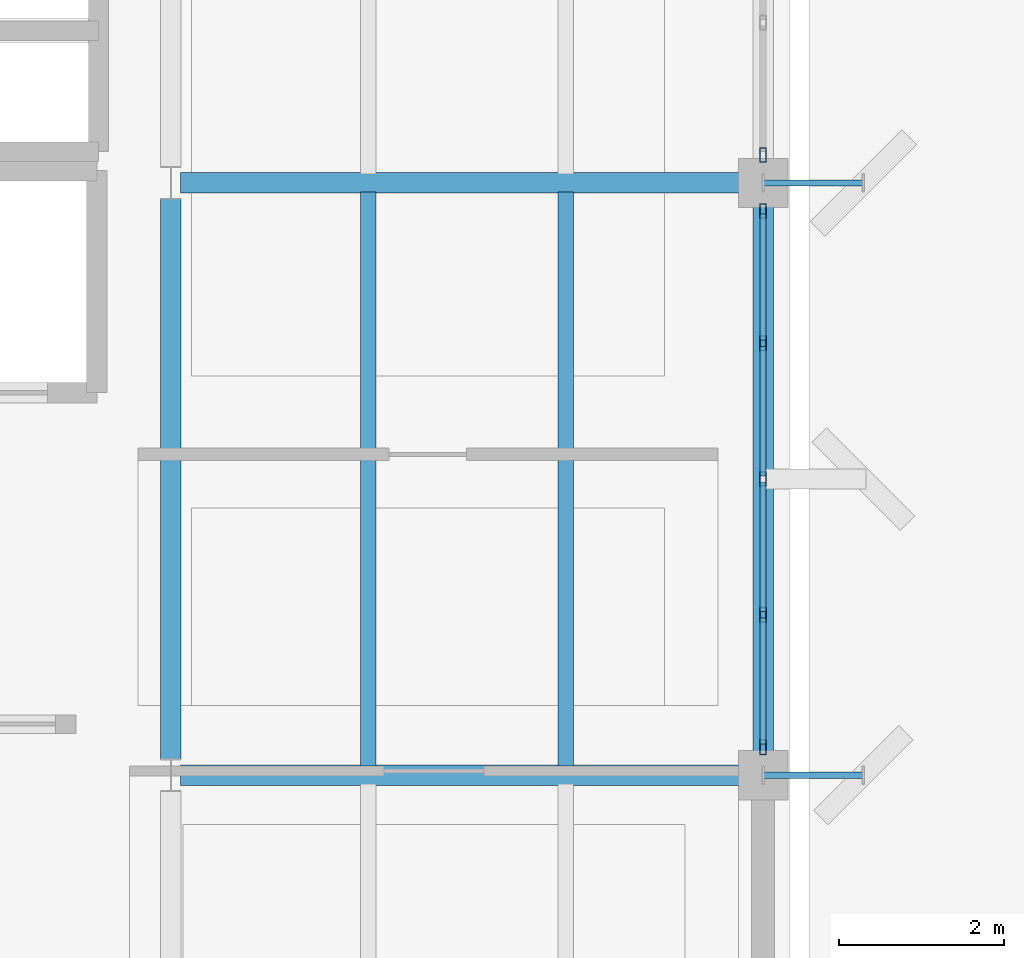
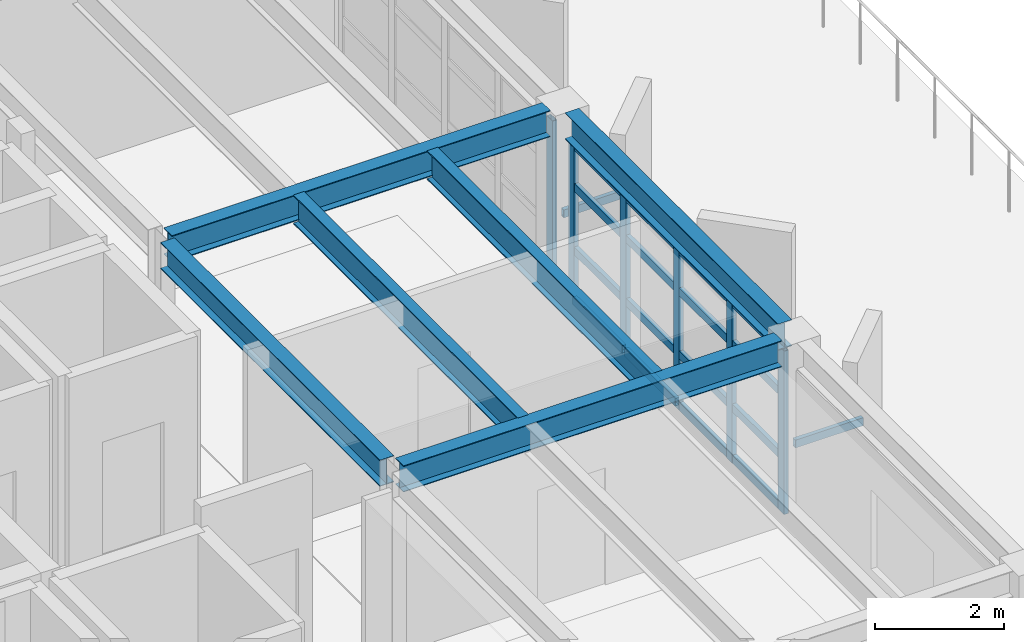
# One storey, part 6 of 19: 24 members, 6 beams, 2 elements without a shape of their own.
"""IFC4 building model written with IfcOpenShell, lengths in metres."""

import ifcopenshell
import ifcopenshell.guid

model = None  # the IFC model being written
_history = None  # IfcOwnerHistory: only IFC2X3 demands one
_inside = {}  # id of a spatial element -> (the spatial element, [elements in it])
_under = {}  # id of a project, library or spatial element -> (it, [spatial elements below it])
_declared = {}  # id of a project -> (the project, [libraries it declares])
_typed = {}  # id of a type object -> (the type object, [elements of that type])
_made_of = {}  # id of a material, layer set ... -> (it, [elements and type objects made of it])


def new_model(schema):
    """Start an empty IFC model of exactly this schema.

    Asked for "IFC4X3", IfcOpenShell would pick the latest addendum, in which some entities
    have other attributes; the version numbers below select the first issue.
    IFC2X3 requires an IfcOwnerHistory on every rooted entity: one is made here for all.
    """
    global model, _history
    if schema == "IFC4X3":
        model = ifcopenshell.file(schema_version=(4, 3, 0, 0))
    else:
        model = ifcopenshell.file(schema=schema)
    _inside.clear()
    _under.clear()
    _declared.clear()
    _typed.clear()
    _made_of.clear()
    _history = None
    if model.schema == "IFC2X3":
        org = make("IfcOrganization", Name="unknown")
        user = make(
            "IfcPersonAndOrganization",
            ThePerson=make("IfcPerson", FamilyName="unknown"),
            TheOrganization=org,
        )
        app = make(
            "IfcApplication",
            ApplicationDeveloper=org,
            Version="unknown",
            ApplicationFullName="unknown",
            ApplicationIdentifier="unknown",
        )
        _history = make(
            "IfcOwnerHistory",
            OwningUser=user,
            OwningApplication=app,
            ChangeAction="ADDED",
            CreationDate=0,
        )
    return model


def make(cls, **values):
    """One entity of the class cls with the attributes given. An attribute that is None is left unset."""
    return model.create_entity(
        cls, **{name: value for name, value in values.items() if value is not None}
    )


def rooted(cls, **values):
    """An entity with a GlobalId (a new one), such as an element, a storey or a relation."""
    return make(cls, GlobalId=ifcopenshell.guid.new(), OwnerHistory=_history, **values)


def si_unit(unit_type, name, prefix=None):
    """IfcSIUnit, for example si_unit("LENGTHUNIT", "METRE", prefix="MILLI")."""
    return make("IfcSIUnit", UnitType=unit_type, Prefix=prefix, Name=name)


def assignment(units):
    """IfcUnitAssignment: the units of a project."""
    return None if units is None else make("IfcUnitAssignment", Units=units)


def point(xyz):
    """IfcCartesianPoint."""
    return None if xyz is None else make("IfcCartesianPoint", Coordinates=xyz)


def direction(xyz):
    """IfcDirection."""
    return None if xyz is None else make("IfcDirection", DirectionRatios=xyz)


def frame(location, z_axis=None, x_axis=None):
    """IfcAxis2Placement3D, a coordinate frame: its origin and axes. An axis left out is left unset."""
    return make(
        "IfcAxis2Placement3D",
        Location=point(location),
        Axis=direction(z_axis),
        RefDirection=direction(x_axis),
    )


def frame_2d(location, x_axis=None):
    """IfcAxis2Placement2D, a coordinate frame in the plane: its origin and x axis."""
    return make(
        "IfcAxis2Placement2D", Location=point(location), RefDirection=direction(x_axis)
    )


def origin():
    """The frame at (0, 0, 0) with its axes left unset."""
    return frame((0.0, 0.0, 0.0))


def origin_2d():
    """The frame at (0, 0) in the plane with its x axis left unset."""
    return frame_2d((0.0, 0.0))


def place(relative_to, where):
    """IfcLocalPlacement: puts the frame where relative to a parent placement (None: the world)."""
    return make(
        "IfcLocalPlacement", PlacementRelTo=relative_to, RelativePlacement=where
    )


def context(
    kind, dimensions, precision=None, world=None, true_north=None, identifier=None
):
    """IfcGeometricRepresentationContext, for example the 3D "Model" context."""
    return make(
        "IfcGeometricRepresentationContext",
        ContextIdentifier=identifier,
        ContextType=kind,
        CoordinateSpaceDimension=dimensions,
        Precision=precision,
        WorldCoordinateSystem=world,
        TrueNorth=true_north,
    )


def subcontext(parent, identifier, kind, view, scale=None):
    """IfcGeometricRepresentationSubContext, for example "Body" below "Model"."""
    return make(
        "IfcGeometricRepresentationSubContext",
        ContextIdentifier=identifier,
        ContextType=kind,
        ParentContext=parent,
        TargetScale=scale,
        TargetView=view,
    )


def project(units=None, contexts=None):
    """IfcProject with its units and contexts."""
    return rooted(
        "IfcProject",
        Name="project",
        RepresentationContexts=contexts,
        UnitsInContext=assignment(units),
    )


def spatial(cls, under=None, at=None, **own):
    """A site, building, storey or space (cls), placed at a placement, below another one or the project."""
    s = rooted(cls, ObjectPlacement=at, **own)
    if under is not None:
        _under.setdefault(under.id(), (under, []))[1].append(s)
    return s


def profile(cls, at=None, kind="AREA", **sizes):
    """A parametric profile (cls). Its sizes go by their IFC names, for example OverallWidth=200.0."""
    return make(cls, ProfileType=kind, Position=at, **sizes)


def hollow_rectangle(**sizes):
    """IfcRectangleHollowProfileDef."""
    return profile("IfcRectangleHollowProfileDef", **sizes)


def i_section(**sizes):
    """IfcIShapeProfileDef."""
    return profile("IfcIShapeProfileDef", **sizes)


def extrude(swept, where, along, depth):
    """IfcExtrudedAreaSolid: the profile swept, set in the frame where, extruded along a direction by depth."""
    return make(
        "IfcExtrudedAreaSolid",
        SweptArea=swept,
        Position=where,
        ExtrudedDirection=direction(along),
        Depth=depth,
    )


def shape(context_of_items, identifier, shape_type, items):
    """IfcShapeRepresentation: the items that make up one representation, for example the "Body"."""
    return make(
        "IfcShapeRepresentation",
        ContextOfItems=context_of_items,
        RepresentationIdentifier=identifier,
        RepresentationType=shape_type,
        Items=items,
    )


def material(Name=None, Category=None):
    """IfcMaterial."""
    return make("IfcMaterial", Name=Name, Category=Category)


def layer(
    of_material, thickness, ventilated=None, Name=None, Category=None, Priority=None
):
    """IfcMaterialLayer: one layer of a wall or slab, of a material (None: an air gap)."""
    return make(
        "IfcMaterialLayer",
        Material=of_material,
        LayerThickness=thickness,
        IsVentilated=ventilated,
        Name=Name,
        Category=Category,
        Priority=Priority,
    )


def layer_set(layers, Name=None):
    """IfcMaterialLayerSet."""
    return make("IfcMaterialLayerSet", MaterialLayers=layers, LayerSetName=Name)


def material_profile(
    of_material, cross_section, Name=None, Category=None, Priority=None
):
    """IfcMaterialProfile: a cross section and its material."""
    return make(
        "IfcMaterialProfile",
        Name=Name,
        Material=of_material,
        Profile=cross_section,
        Priority=Priority,
        Category=Category,
    )


def profile_set(profiles, Name=None, composite=None):
    """IfcMaterialProfileSet."""
    return make(
        "IfcMaterialProfileSet",
        Name=Name,
        MaterialProfiles=profiles,
        CompositeProfile=composite,
    )


def made_of(thing, what):
    """Note that an element or type object is made of a material, layer set ...; save() writes the relation."""
    if what is not None:
        _made_of.setdefault(what.id(), (what, []))[1].append(thing)
    return thing


def type_object(cls, material=None, **own):
    """A type object (cls), such as IfcWallType, which elements share."""
    return made_of(rooted(cls, **own), material)


def element(
    cls,
    number,
    at=None,
    inside=None,
    cuts=None,
    type_object=None,
    material=None,
    context=None,
    identifier="Body",
    shape_type=None,
    held_by="IfcProductDefinitionShape",
    body=None,
    shapes=None,
    **own,
):
    """One element of the class cls, such as IfcWall. Its Tag is "e" and its number.

    at: its placement. inside: the storey or other place that contains it. cuts: it is an
    opening in that element (IfcRelVoidsElement). A single representation is given by context,
    identifier, shape_type and body (its items); several are given by shapes. held_by: the class
    of the entity that holds the representations. save() writes the other relations.
    """
    e = rooted(cls, Tag="e%d" % number, ObjectPlacement=at, **own)
    if body is not None:
        shapes = [shape(context, identifier, shape_type, body)]
    if shapes is not None:
        e.Representation = make(held_by, Representations=shapes)
    if inside is not None:
        _inside.setdefault(inside.id(), (inside, []))[1].append(e)
    if cuts is not None:
        rooted(
            "IfcRelVoidsElement", RelatingBuildingElement=cuts, RelatedOpeningElement=e
        )
    if type_object is not None:
        _typed.setdefault(type_object.id(), (type_object, []))[1].append(e)
    return made_of(e, material)


def aggregate(whole, parts):
    """IfcRelAggregates: a whole, such as a stair, and the parts it consists of."""
    return rooted("IfcRelAggregates", RelatingObject=whole, RelatedObjects=parts)


def save(model, path):
    """Write the relations noted so far, then the file.

    IfcRelAggregates (storeys below a building ...), IfcRelContainedInSpatialStructure (elements
    in a storey), IfcRelDefinesByType, IfcRelAssociatesMaterial and IfcRelDeclares: one each for
    every whole, place, type object, material and project.
    """
    for whole, parts in _under.values():
        aggregate(whole, parts)
    for where, things in _inside.values():
        rooted(
            "IfcRelContainedInSpatialStructure",
            RelatedElements=things,
            RelatingStructure=where,
        )
    for kind, things in _typed.values():
        rooted("IfcRelDefinesByType", RelatedObjects=things, RelatingType=kind)
    for what, things in _made_of.values():
        rooted("IfcRelAssociatesMaterial", RelatedObjects=things, RelatingMaterial=what)
    for by, libraries in _declared.values():
        rooted("IfcRelDeclares", RelatingContext=by, RelatedDefinitions=libraries)
    model.write(path)


model = new_model("IFC4")

# Units and contexts
model_context = context("Model", 3, precision=1e-05, world=origin(), true_north=direction((0.0, 1.0)))
body_context = subcontext(model_context, "Body", "Model", "MODEL_VIEW")
ifc_project = project(units=[si_unit("LENGTHUNIT", "METRE"), si_unit("AREAUNIT", "SQUARE_METRE"), si_unit("VOLUMEUNIT", "CUBIC_METRE"), si_unit("PLANEANGLEUNIT", "RADIAN"), si_unit("MASSUNIT", "GRAM", prefix="KILO")], contexts=[model_context])

# Site, building, storey
site_placement = place(None, origin())
site = spatial("IfcSite", under=ifc_project, at=site_placement, CompositionType="ELEMENT")
building_placement = place(site_placement, origin())
building = spatial("IfcBuilding", under=site, at=building_placement, Name="Kandorven Conservatory and Botanical Research Centre", CompositionType="ELEMENT")
storey_placement = place(building_placement, frame((0.0, 0.0, 28.800048828125)))
storey = spatial("IfcBuildingStorey", under=building, at=storey_placement, Name="L07", CompositionType="ELEMENT", Elevation=28.800048828125)

# Beams
ifc_material_1 = material(Name="Steel S355 (IS 2062 E350)", Category="steel")
ifc_material_profile_1 = material_profile(ifc_material_1, i_section(OverallWidth=0.25, OverallDepth=0.5, WebThickness=0.010009765625, FlangeThickness=0.0146484375, at=origin_2d()))
ifc_profile_set_1 = profile_set([ifc_material_profile_1], Name="Steel S355 (IS 2062 E350)")
beam_type_1 = type_object("IfcBeamType", Name="Beam_FG-02", PredefinedType="USERDEFINED", material=ifc_profile_set_1)
for number, where, z_axis, x_axis, name in (
    (1, (27.715087890625, 13.199951171875, 3.369873046875), (1.0, 0.0, 0.0), (0.0, 1.0, 0.0), "Primary girder FG-02 TWR L07"),
    (2, (27.715087890625, 20.39990234375, 3.369873046875), (1.0, 0.0, 0.0), (0.0, 1.0, 0.0), "Primary girder FG-02 TWR L07"),
):
    element("IfcBeam", number, at=place(storey_placement, frame(where, z_axis=z_axis, x_axis=x_axis)), inside=storey, type_object=beam_type_1, Name=name, ObjectType="GIRDER", PredefinedType="USERDEFINED", context=body_context, shape_type="SweptSolid", body=[
        extrude(i_section(OverallWidth=0.25, OverallDepth=0.5, WebThickness=0.010009765625, FlangeThickness=0.0146484375, at=origin_2d()), origin(), (0.0, 0.0, 1.0), 6.794921875),
    ])
beam_1_placement = place(storey_placement, frame((27.60009765625, 13.389892578125, 3.369873046875), z_axis=(0.0, 1.0, 0.0), x_axis=(-1.0, 0.0, 0.0)))
element("IfcBeam", 3, at=beam_1_placement, inside=storey, type_object=beam_type_1, Name="Primary girder FG-02 TWR L07", ObjectType="GIRDER", PredefinedType="USERDEFINED", context=body_context, shape_type="SweptSolid", body=[
    extrude(i_section(OverallWidth=0.25, OverallDepth=0.5, WebThickness=0.010009765625, FlangeThickness=0.0146484375, at=origin_2d()), origin(), (0.0, 0.0, 1.0), 6.820068359375),
])
beam_2_placement = place(storey_placement, frame((34.800048828125, 13.489990234375, 3.369873046875), z_axis=(0.0, 1.0, 0.0), x_axis=(-1.0, 0.0, 0.0)))
element("IfcBeam", 4, at=beam_2_placement, inside=storey, type_object=beam_type_1, Name="Primary girder FG-02 TWR L07", ObjectType="GIRDER", PredefinedType="USERDEFINED", context=body_context, shape_type="SweptSolid", body=[
    extrude(i_section(OverallWidth=0.25, OverallDepth=0.5, WebThickness=0.010009765625, FlangeThickness=0.0146484375, at=origin_2d()), origin(), (0.0, 0.0, 1.0), 6.6201171875),
])
ifc_material_2 = material(Name="Steel S355 (IS 2062 E350)", Category="steel")
ifc_material_profile_2 = material_profile(ifc_material_2, i_section(OverallWidth=0.18994140625, OverallDepth=0.550048828125, WebThickness=0.01123046875, FlangeThickness=0.019287109375, at=origin_2d()))
ifc_profile_set_2 = profile_set([ifc_material_profile_2], Name="Steel S355 (IS 2062 E350)")
beam_type_2 = type_object("IfcBeamType", Name="Beam_SB-02", PredefinedType="BEAM", material=ifc_profile_set_2)
for number, where, z_axis, x_axis, name in (
    (5, (30.0, 13.31005859375, 3.344970703125), (0.0, 1.0, 0.0), (-1.0, 0.0, 0.0), "Composite secondary beam SB-02 TWR L07"),
    (6, (32.39990234375, 13.31005859375, 3.344970703125), (0.0, 1.0, 0.0), (-1.0, 0.0, 0.0), "Composite secondary beam SB-02 TWR L07"),
):
    element("IfcBeam", number, at=place(storey_placement, frame(where, z_axis=z_axis, x_axis=x_axis)), inside=storey, type_object=beam_type_2, Name=name, PredefinedType="BEAM", context=body_context, shape_type="SweptSolid", body=[
        extrude(i_section(OverallWidth=0.18994140625, OverallDepth=0.550048828125, WebThickness=0.01123046875, FlangeThickness=0.019287109375, at=origin_2d()), origin(), (0.0, 0.0, 1.0), 6.97998046875),
    ])

# Curtain wall, members
ifc_material_3 = material(Name="Bronze anodised thermally broken aluminium", Category="aluminium")
ifc_layer = layer(ifc_material_3, 0.179931640625)
ifc_layer_set = layer_set([ifc_layer], Name="Bronze anodised thermally broken aluminium")
curtain_wall_type = type_object("IfcCurtainWallType", Name="CW_Unitised", PredefinedType="USERDEFINED", material=ifc_layer_set)
curtain_wall_1_placement = place(storey_placement, origin())
curtain_wall_1 = element("IfcCurtainWall", 7, at=curtain_wall_1_placement, inside=storey, type_object=curtain_wall_type, Name="Tower laboratory curtain wall CW-TWR-E-L07-2", ObjectType="UNITISED GLAZING", PredefinedType="USERDEFINED")
ifc_material_4 = material(Name="Bronze anodised thermally broken aluminium", Category="aluminium")
ifc_material_profile_3 = material_profile(ifc_material_4, hollow_rectangle(XDim=0.080078125, YDim=0.179931640625, WallThickness=0.006103515625, at=origin_2d()))
ifc_profile_set_3 = profile_set([ifc_material_profile_3], Name="Bronze anodised thermally broken aluminium")
member_type_1 = type_object("IfcMemberType", Name="CW_Mullion", PredefinedType="MULLION", material=ifc_profile_set_3)
member_1_placement = place(storey_placement, frame((34.800048828125, 13.5400390625, 0.0), z_axis=(0.0, 0.0, 1.0), x_axis=(-1.0, 0.0, 0.0)))
member_1 = element("IfcMember", 8, at=member_1_placement, type_object=member_type_1, Name="CW-01 mullion 1", PredefinedType="MULLION", context=body_context, shape_type="SweptSolid", body=[
    extrude(hollow_rectangle(XDim=0.080078125, YDim=0.179931640625, WallThickness=0.006103515625, at=origin_2d()), origin(), (0.0, 0.0, 1.0), 3.099853515625),
])
member_2_placement = place(storey_placement, frame((34.800048828125, 15.14990234375, 0.0), z_axis=(0.0, 0.0, 1.0), x_axis=(-1.0, 0.0, 0.0)))
member_2 = element("IfcMember", 9, at=member_2_placement, type_object=member_type_1, Name="CW-01 mullion 2", PredefinedType="MULLION", context=body_context, shape_type="SweptSolid", body=[
    extrude(hollow_rectangle(XDim=0.080078125, YDim=0.179931640625, WallThickness=0.006103515625, at=origin_2d()), origin(), (0.0, 0.0, 1.0), 3.099853515625),
])
member_3_placement = place(storey_placement, frame((34.800048828125, 16.800048828125, 0.0), z_axis=(0.0, 0.0, 1.0), x_axis=(-1.0, 0.0, 0.0)))
member_3 = element("IfcMember", 10, at=member_3_placement, type_object=member_type_1, Name="CW-01 mullion 3", PredefinedType="MULLION", context=body_context, shape_type="SweptSolid", body=[
    extrude(hollow_rectangle(XDim=0.080078125, YDim=0.179931640625, WallThickness=0.006103515625, at=origin_2d()), origin(), (0.0, 0.0, 1.0), 3.099853515625),
])
member_4_placement = place(storey_placement, frame((34.800048828125, 18.449951171875, 0.0), z_axis=(0.0, 0.0, 1.0), x_axis=(-1.0, 0.0, 0.0)))
member_4 = element("IfcMember", 11, at=member_4_placement, type_object=member_type_1, Name="CW-01 mullion 4", PredefinedType="MULLION", context=body_context, shape_type="SweptSolid", body=[
    extrude(hollow_rectangle(XDim=0.080078125, YDim=0.179931640625, WallThickness=0.006103515625, at=origin_2d()), origin(), (0.0, 0.0, 1.0), 3.099853515625),
])
member_5_placement = place(storey_placement, frame((34.800048828125, 20.06005859375, 0.0), z_axis=(0.0, 0.0, 1.0), x_axis=(-1.0, 0.0, 0.0)))
member_5 = element("IfcMember", 12, at=member_5_placement, type_object=member_type_1, Name="CW-01 mullion 5", PredefinedType="MULLION", context=body_context, shape_type="SweptSolid", body=[
    extrude(hollow_rectangle(XDim=0.080078125, YDim=0.179931640625, WallThickness=0.006103515625, at=origin_2d()), origin(), (0.0, 0.0, 1.0), 3.099853515625),
])

# Curtain wall, member
curtain_wall_2_placement = place(storey_placement, origin())
curtain_wall_2 = element("IfcCurtainWall", 13, at=curtain_wall_2_placement, inside=storey, type_object=curtain_wall_type, Name="Tower laboratory curtain wall CW-TWR-E-L07-3", ObjectType="UNITISED GLAZING", PredefinedType="USERDEFINED")
member_6_placement = place(storey_placement, frame((34.800048828125, 20.739990234375, 0.0), z_axis=(0.0, 0.0, 1.0), x_axis=(-1.0, 0.0, 0.0)))
member_6 = element("IfcMember", 14, at=member_6_placement, type_object=member_type_1, Name="CW-01 mullion 1", PredefinedType="MULLION", context=body_context, shape_type="SweptSolid", body=[
    extrude(hollow_rectangle(XDim=0.080078125, YDim=0.179931640625, WallThickness=0.006103515625, at=origin_2d()), origin(), (0.0, 0.0, 1.0), 3.099853515625),
])
aggregate(curtain_wall_2, [member_6])

# Member
ifc_material_5 = material(Name="Bronze anodised thermally broken aluminium", Category="aluminium")
ifc_material_profile_4 = material_profile(ifc_material_5, hollow_rectangle(XDim=0.074951171875, YDim=0.14990234375, WallThickness=0.006103515625, at=origin_2d()))
ifc_profile_set_4 = profile_set([ifc_material_profile_4], Name="Bronze anodised thermally broken aluminium")
member_type_2 = type_object("IfcMemberType", Name="CW_Transom", PredefinedType="USERDEFINED", material=ifc_profile_set_4)
member_7_placement = place(storey_placement, frame((34.800048828125, 13.580078125, 0.074951171875), z_axis=(0.0, 1.0, 0.0), x_axis=(-1.0, 0.0, 0.0)))
member_7 = element("IfcMember", 15, at=member_7_placement, type_object=member_type_2, Name="CW-01 transom 1.1", ObjectType="TRANSOM", PredefinedType="USERDEFINED", context=body_context, shape_type="SweptSolid", body=[
    extrude(hollow_rectangle(XDim=0.074951171875, YDim=0.14990234375, WallThickness=0.006103515625, at=origin_2d()), origin(), (0.0, 0.0, 1.0), 1.530029296875),
])

member_8_placement = place(storey_placement, frame((34.800048828125, 13.580078125, 1.050048828125), z_axis=(0.0, 1.0, 0.0), x_axis=(-1.0, 0.0, 0.0)))
member_8 = element("IfcMember", 16, at=member_8_placement, type_object=member_type_2, Name="CW-01 transom 1.2", ObjectType="TRANSOM", PredefinedType="USERDEFINED", context=body_context, shape_type="SweptSolid", body=[
    extrude(hollow_rectangle(XDim=0.074951171875, YDim=0.14990234375, WallThickness=0.006103515625, at=origin_2d()), origin(), (0.0, 0.0, 1.0), 1.530029296875),
])

member_9_placement = place(storey_placement, frame((34.800048828125, 13.580078125, 2.25), z_axis=(0.0, 1.0, 0.0), x_axis=(-1.0, 0.0, 0.0)))
member_9 = element("IfcMember", 17, at=member_9_placement, type_object=member_type_2, Name="CW-01 transom 1.3", ObjectType="TRANSOM", PredefinedType="USERDEFINED", context=body_context, shape_type="SweptSolid", body=[
    extrude(hollow_rectangle(XDim=0.074951171875, YDim=0.14990234375, WallThickness=0.006103515625, at=origin_2d()), origin(), (0.0, 0.0, 1.0), 1.530029296875),
])

member_10_placement = place(storey_placement, frame((34.800048828125, 13.580078125, 3.02490234375), z_axis=(0.0, 1.0, 0.0), x_axis=(-1.0, 0.0, 0.0)))
member_10 = element("IfcMember", 18, at=member_10_placement, type_object=member_type_2, Name="CW-01 transom 1.4", ObjectType="TRANSOM", PredefinedType="USERDEFINED", context=body_context, shape_type="SweptSolid", body=[
    extrude(hollow_rectangle(XDim=0.074951171875, YDim=0.14990234375, WallThickness=0.006103515625, at=origin_2d()), origin(), (0.0, 0.0, 1.0), 1.530029296875),
])

member_11_placement = place(storey_placement, frame((34.800048828125, 15.18994140625, 0.074951171875), z_axis=(0.0, 1.0, 0.0), x_axis=(-1.0, 0.0, 0.0)))
member_11 = element("IfcMember", 19, at=member_11_placement, type_object=member_type_2, Name="CW-01 transom 2.1", ObjectType="TRANSOM", PredefinedType="USERDEFINED", context=body_context, shape_type="SweptSolid", body=[
    extrude(hollow_rectangle(XDim=0.074951171875, YDim=0.14990234375, WallThickness=0.006103515625, at=origin_2d()), origin(), (0.0, 0.0, 1.0), 1.570068359375),
])

member_12_placement = place(storey_placement, frame((34.800048828125, 15.18994140625, 1.050048828125), z_axis=(0.0, 1.0, 0.0), x_axis=(-1.0, 0.0, 0.0)))
member_12 = element("IfcMember", 20, at=member_12_placement, type_object=member_type_2, Name="CW-01 transom 2.2", ObjectType="TRANSOM", PredefinedType="USERDEFINED", context=body_context, shape_type="SweptSolid", body=[
    extrude(hollow_rectangle(XDim=0.074951171875, YDim=0.14990234375, WallThickness=0.006103515625, at=origin_2d()), origin(), (0.0, 0.0, 1.0), 1.570068359375),
])

member_13_placement = place(storey_placement, frame((34.800048828125, 15.18994140625, 2.25), z_axis=(0.0, 1.0, 0.0), x_axis=(-1.0, 0.0, 0.0)))
member_13 = element("IfcMember", 21, at=member_13_placement, type_object=member_type_2, Name="CW-01 transom 2.3", ObjectType="TRANSOM", PredefinedType="USERDEFINED", context=body_context, shape_type="SweptSolid", body=[
    extrude(hollow_rectangle(XDim=0.074951171875, YDim=0.14990234375, WallThickness=0.006103515625, at=origin_2d()), origin(), (0.0, 0.0, 1.0), 1.570068359375),
])

member_14_placement = place(storey_placement, frame((34.800048828125, 15.18994140625, 3.02490234375), z_axis=(0.0, 1.0, 0.0), x_axis=(-1.0, 0.0, 0.0)))
member_14 = element("IfcMember", 22, at=member_14_placement, type_object=member_type_2, Name="CW-01 transom 2.4", ObjectType="TRANSOM", PredefinedType="USERDEFINED", context=body_context, shape_type="SweptSolid", body=[
    extrude(hollow_rectangle(XDim=0.074951171875, YDim=0.14990234375, WallThickness=0.006103515625, at=origin_2d()), origin(), (0.0, 0.0, 1.0), 1.570068359375),
])

member_15_placement = place(storey_placement, frame((34.800048828125, 16.840087890625, 0.074951171875), z_axis=(0.0, 1.0, 0.0), x_axis=(-1.0, 0.0, 0.0)))
member_15 = element("IfcMember", 23, at=member_15_placement, type_object=member_type_2, Name="CW-01 transom 3.1", ObjectType="TRANSOM", PredefinedType="USERDEFINED", context=body_context, shape_type="SweptSolid", body=[
    extrude(hollow_rectangle(XDim=0.074951171875, YDim=0.14990234375, WallThickness=0.006103515625, at=origin_2d()), origin(), (0.0, 0.0, 1.0), 1.56982421875),
])

member_16_placement = place(storey_placement, frame((34.800048828125, 16.840087890625, 1.050048828125), z_axis=(0.0, 1.0, 0.0), x_axis=(-1.0, 0.0, 0.0)))
member_16 = element("IfcMember", 24, at=member_16_placement, type_object=member_type_2, Name="CW-01 transom 3.2", ObjectType="TRANSOM", PredefinedType="USERDEFINED", context=body_context, shape_type="SweptSolid", body=[
    extrude(hollow_rectangle(XDim=0.074951171875, YDim=0.14990234375, WallThickness=0.006103515625, at=origin_2d()), origin(), (0.0, 0.0, 1.0), 1.56982421875),
])

member_17_placement = place(storey_placement, frame((34.800048828125, 16.840087890625, 2.25), z_axis=(0.0, 1.0, 0.0), x_axis=(-1.0, 0.0, 0.0)))
member_17 = element("IfcMember", 25, at=member_17_placement, type_object=member_type_2, Name="CW-01 transom 3.3", ObjectType="TRANSOM", PredefinedType="USERDEFINED", context=body_context, shape_type="SweptSolid", body=[
    extrude(hollow_rectangle(XDim=0.074951171875, YDim=0.14990234375, WallThickness=0.006103515625, at=origin_2d()), origin(), (0.0, 0.0, 1.0), 1.56982421875),
])

member_18_placement = place(storey_placement, frame((34.800048828125, 16.840087890625, 3.02490234375), z_axis=(0.0, 1.0, 0.0), x_axis=(-1.0, 0.0, 0.0)))
member_18 = element("IfcMember", 26, at=member_18_placement, type_object=member_type_2, Name="CW-01 transom 3.4", ObjectType="TRANSOM", PredefinedType="USERDEFINED", context=body_context, shape_type="SweptSolid", body=[
    extrude(hollow_rectangle(XDim=0.074951171875, YDim=0.14990234375, WallThickness=0.006103515625, at=origin_2d()), origin(), (0.0, 0.0, 1.0), 1.56982421875),
])

member_19_placement = place(storey_placement, frame((34.800048828125, 18.489990234375, 0.074951171875), z_axis=(0.0, 1.0, 0.0), x_axis=(-1.0, 0.0, 0.0)))
member_19 = element("IfcMember", 27, at=member_19_placement, type_object=member_type_2, Name="CW-01 transom 4.1", ObjectType="TRANSOM", PredefinedType="USERDEFINED", context=body_context, shape_type="SweptSolid", body=[
    extrude(hollow_rectangle(XDim=0.074951171875, YDim=0.14990234375, WallThickness=0.006103515625, at=origin_2d()), origin(), (0.0, 0.0, 1.0), 1.530029296875),
])

member_20_placement = place(storey_placement, frame((34.800048828125, 18.489990234375, 1.050048828125), z_axis=(0.0, 1.0, 0.0), x_axis=(-1.0, 0.0, 0.0)))
member_20 = element("IfcMember", 28, at=member_20_placement, type_object=member_type_2, Name="CW-01 transom 4.2", ObjectType="TRANSOM", PredefinedType="USERDEFINED", context=body_context, shape_type="SweptSolid", body=[
    extrude(hollow_rectangle(XDim=0.074951171875, YDim=0.14990234375, WallThickness=0.006103515625, at=origin_2d()), origin(), (0.0, 0.0, 1.0), 1.530029296875),
])

member_21_placement = place(storey_placement, frame((34.800048828125, 18.489990234375, 2.25), z_axis=(0.0, 1.0, 0.0), x_axis=(-1.0, 0.0, 0.0)))
member_21 = element("IfcMember", 29, at=member_21_placement, type_object=member_type_2, Name="CW-01 transom 4.3", ObjectType="TRANSOM", PredefinedType="USERDEFINED", context=body_context, shape_type="SweptSolid", body=[
    extrude(hollow_rectangle(XDim=0.074951171875, YDim=0.14990234375, WallThickness=0.006103515625, at=origin_2d()), origin(), (0.0, 0.0, 1.0), 1.530029296875),
])

member_22_placement = place(storey_placement, frame((34.800048828125, 18.489990234375, 3.02490234375), z_axis=(0.0, 1.0, 0.0), x_axis=(-1.0, 0.0, 0.0)))
member_22 = element("IfcMember", 30, at=member_22_placement, type_object=member_type_2, Name="CW-01 transom 4.4", ObjectType="TRANSOM", PredefinedType="USERDEFINED", context=body_context, shape_type="SweptSolid", body=[
    extrude(hollow_rectangle(XDim=0.074951171875, YDim=0.14990234375, WallThickness=0.006103515625, at=origin_2d()), origin(), (0.0, 0.0, 1.0), 1.530029296875),
])

aggregate(curtain_wall_1, [member_1, member_2, member_3, member_4, member_5, member_7, member_8, member_9, member_10, member_11, member_12, member_13, member_14, member_15, member_16, member_17, member_18, member_19, member_20, member_21, member_22])

# Members
ifc_material_6 = material(Name="Steel S355 (IS 2062 E350)", Category="steel")
ifc_material_profile_5 = material_profile(ifc_material_6, hollow_rectangle(XDim=0.074951171875, YDim=0.14990234375, WallThickness=0.006103515625, at=origin_2d()))
ifc_profile_set_5 = profile_set([ifc_material_profile_5], Name="Steel S355 (IS 2062 E350)")
member_type_3 = type_object("IfcMemberType", Name="Mem_SF-01", PredefinedType="STRUT", material=ifc_profile_set_5)
for number, where, z_axis, x_axis, name in (
    (31, (34.800048828125, 13.199951171875, 1.5), (1.0, 0.0, 0.0), (0.0, 1.0, 0.0), "Solar fin steel outrigger strut SF-01 #81"),
    (32, (34.800048828125, 20.39990234375, 1.5), (1.0, 0.0, 0.0), (0.0, 1.0, 0.0), "Solar fin steel outrigger strut SF-01 #83"),
):
    element("IfcMember", number, at=place(storey_placement, frame(where, z_axis=z_axis, x_axis=x_axis)), inside=storey, type_object=member_type_3, Name=name, PredefinedType="STRUT", context=body_context, shape_type="SweptSolid", body=[
        extrude(hollow_rectangle(XDim=0.074951171875, YDim=0.14990234375, WallThickness=0.006103515625, at=origin_2d()), origin(), (0.0, 0.0, 1.0), 1.219970703125),
    ])

save(model, "model.ifc")
